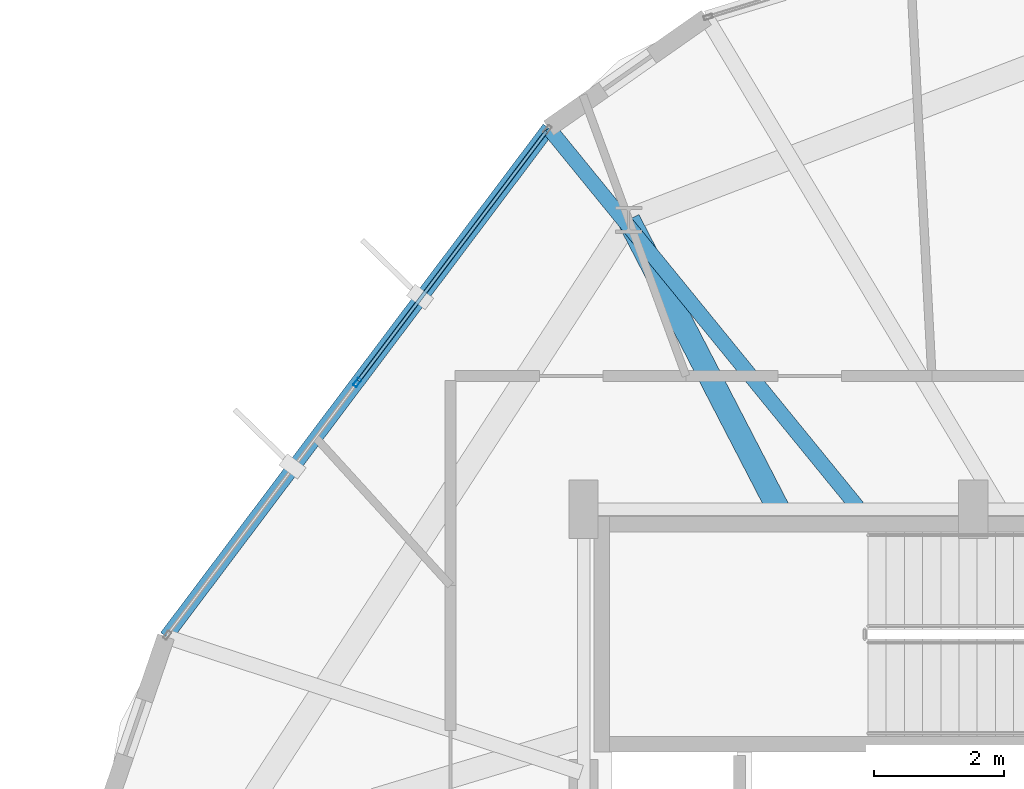
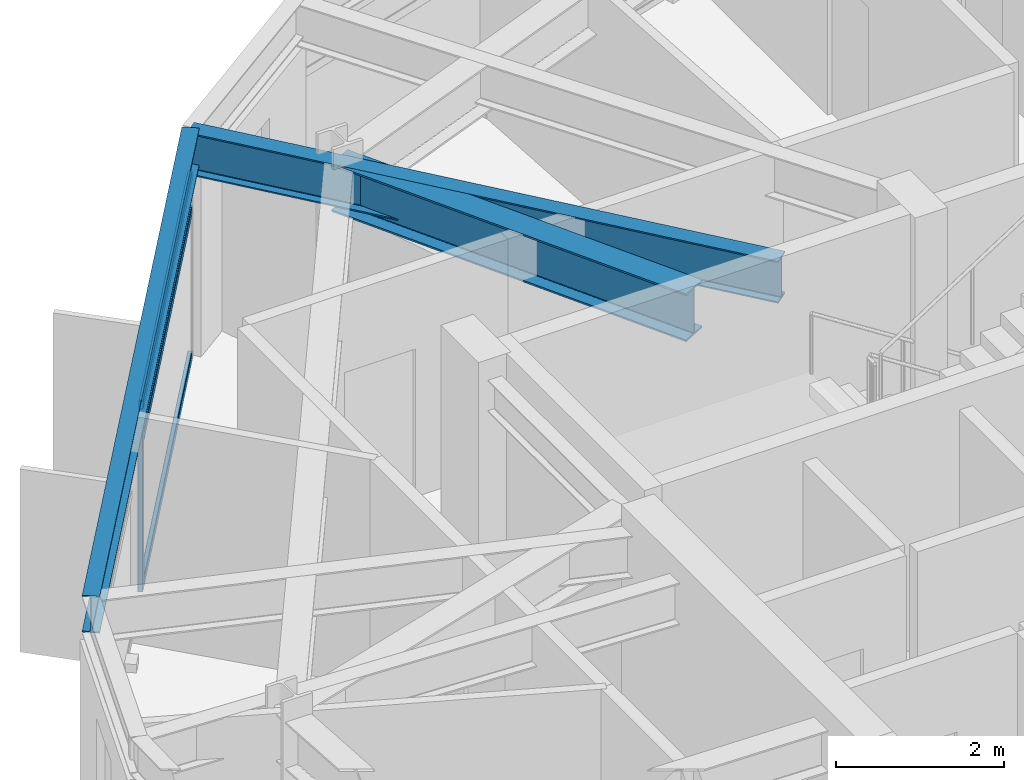
# One storey, part 15 of 29: 4 members, 3 beams, 1 element without a shape of its own.
"""IFC4 building model written with IfcOpenShell, lengths in metres."""

from ifc_helpers import new_model, si_unit, direction, frame, origin, origin_2d, place, context, subcontext, project, spatial, hollow_rectangle, i_section, extrude, material, layer, layer_set, material_profile, profile_set, type_object, element, aggregate, save


model = new_model("IFC4")

# Units and contexts
model_context = context("Model", 3, precision=1e-05, world=origin(), true_north=direction((0.0, 1.0)))
body_context = subcontext(model_context, "Body", "Model", "MODEL_VIEW")
ifc_project = project(units=[si_unit("LENGTHUNIT", "METRE"), si_unit("AREAUNIT", "SQUARE_METRE"), si_unit("VOLUMEUNIT", "CUBIC_METRE"), si_unit("PLANEANGLEUNIT", "RADIAN"), si_unit("MASSUNIT", "GRAM", prefix="KILO")], contexts=[model_context])

# Site, building, storey
site_placement = place(None, origin())
site = spatial("IfcSite", under=ifc_project, at=site_placement, CompositionType="ELEMENT")
building_placement = place(site_placement, origin())
building = spatial("IfcBuilding", under=site, at=building_placement, Name="Soratama Intermodal Tower", CompositionType="ELEMENT")
storey_placement = place(building_placement, frame((0.0, 0.0, 226.60009765625)))
storey = spatial("IfcBuildingStorey", under=building, at=storey_placement, Name="L57", CompositionType="ELEMENT", Elevation=226.60009765625)

# Beams
ifc_material_1 = material(Name="Structural steel ASTM A992 Grade 50", Category="steel")
ifc_material_profile_1 = material_profile(ifc_material_1, i_section(OverallWidth=0.35498046875, OverallDepth=0.695068359375, WebThickness=0.015380859375, FlangeThickness=0.02490234375, FilletRadius=0.01611328125, at=origin_2d()), Name="W27X146")
ifc_profile_set_1 = profile_set([ifc_material_profile_1], Name="Structural steel ASTM A992 Grade 50")
beam_type_1 = type_object("IfcBeamType", Name="BM-RING-W27X146", PredefinedType="BEAM", material=ifc_profile_set_1)
beam_1_placement = place(storey_placement, frame((35.60009765625, 35.0, 2.952392578125), z_axis=(-0.459552673174, 0.888150516849, 0.0), x_axis=(-0.888150516849, -0.459552673174, 0.0)))
element("IfcBeam", 1, at=beam_1_placement, inside=storey, type_object=beam_type_1, Name="BM-L57-RAD-04", PredefinedType="BEAM", context=body_context, shape_type="SweptSolid", body=[
    extrude(i_section(OverallWidth=0.35498046875, OverallDepth=0.695068359375, WebThickness=0.015380859375, FlangeThickness=0.02490234375, FilletRadius=0.01611328125, at=origin_2d()), origin(), (0.0, 0.0, 1.0), 5.01611328125),
])
ifc_material_2 = material(Name="Structural steel ASTM A992 Grade 50", Category="steel")
ifc_material_profile_2 = material_profile(ifc_material_2, i_section(OverallWidth=0.2099609375, OverallDepth=0.537109375, WebThickness=0.010986328125, FlangeThickness=0.017333984375, FilletRadius=0.012939453125, at=origin_2d()), Name="W21X68")
ifc_profile_set_2 = profile_set([ifc_material_profile_2], Name="Structural steel ASTM A992 Grade 50")
beam_type_2 = type_object("IfcBeamType", Name="BM-SPN-W21X68", PredefinedType="SPANDREL", material=ifc_profile_set_2)
beam_2_placement = place(storey_placement, frame((32.06298828125, 40.865966796875, 3.031494140625), z_axis=(-0.601255146087, -0.799057100152, 0.0), x_axis=(0.799057100152, -0.601255146087, 0.0)))
element("IfcBeam", 2, at=beam_2_placement, inside=storey, type_object=beam_type_2, Name="BS-L57-F03", PredefinedType="SPANDREL", context=body_context, shape_type="SweptSolid", body=[
    extrude(i_section(OverallWidth=0.2099609375, OverallDepth=0.537109375, WebThickness=0.010986328125, FlangeThickness=0.017333984375, FilletRadius=0.012939453125, at=origin_2d()), origin(), (0.0, 0.0, 1.0), 9.797607421875),
])
ifc_material_3 = material(Name="Structural steel ASTM A992 Grade 50", Category="steel")
ifc_material_profile_3 = material_profile(ifc_material_3, i_section(OverallWidth=0.22900390625, OverallDepth=0.612060546875, WebThickness=0.011962890625, FlangeThickness=0.01953125, FilletRadius=0.012939453125, at=origin_2d()), Name="W24X84")
ifc_profile_set_3 = profile_set([ifc_material_profile_3], Name="Structural steel ASTM A992 Grade 50")
beam_type_3 = type_object("IfcBeamType", Name="BM-TIE-W24X84", PredefinedType="BEAM", material=ifc_profile_set_3)
beam_3_placement = place(storey_placement, frame((36.820068359375, 35.031005859375, 2.993896484375), z_axis=(-0.631885870256, 0.775061447222, 0.0), x_axis=(-0.775061447222, -0.631885870256, 0.0)))
element("IfcBeam", 3, at=beam_3_placement, inside=storey, type_object=beam_type_3, Name="BM-L57-TIE0-03", PredefinedType="BEAM", context=body_context, shape_type="SweptSolid", body=[
    extrude(i_section(OverallWidth=0.22900390625, OverallDepth=0.612060546875, WebThickness=0.011962890625, FlangeThickness=0.01953125, FilletRadius=0.012939453125, at=origin_2d()), origin(), (0.0, 0.0, 1.0), 7.5283203125),
])

# Curtain wall, members
ifc_material_4 = material(Name="Double-glazed aluminium curtain wall", Category="aluminium")
ifc_layer = layer(ifc_material_4, 0.159912109375)
ifc_layer_set = layer_set([ifc_layer], Name="Double-glazed aluminium curtain wall")
curtain_wall_type = type_object("IfcCurtainWallType", Name="CW-SYS-5", PredefinedType="NOTDEFINED", material=ifc_layer_set)
curtain_wall_placement = place(storey_placement, origin())
curtain_wall = element("IfcCurtainWall", 4, at=curtain_wall_placement, inside=storey, type_object=curtain_wall_type, Name="L57 Faceted Curtain Wall F03", PredefinedType="NOTDEFINED")
ifc_material_5 = material(Name="Anodised aluminium AA 6063-T6", Category="aluminium")
ifc_material_profile_4 = material_profile(ifc_material_5, hollow_rectangle(XDim=0.06494140625, YDim=0.139892578125, WallThickness=0.0048828125, InnerFilletRadius=0.0048828125, OuterFilletRadius=0.010009765625, at=origin_2d()), Name="CWM140X65X5")
ifc_profile_set_4 = profile_set([ifc_material_profile_4], Name="Anodised aluminium AA 6063-T6")
member_type_1 = type_object("IfcMemberType", Name="MT-CWM-5", PredefinedType="MULLION", material=ifc_profile_set_4)
member_1_placement = place(storey_placement, frame((29.1171875, 36.951171875, 0.0), z_axis=(0.0, 0.0, 1.0), x_axis=(0.799052254373, -0.601261585985, 0.0)))
member_1 = element("IfcMember", 5, at=member_1_placement, type_object=member_type_1, Name="CW-5 mullion 2", PredefinedType="MULLION", context=body_context, shape_type="SweptSolid", body=[
    extrude(hollow_rectangle(XDim=0.06494140625, YDim=0.139892578125, WallThickness=0.0048828125, InnerFilletRadius=0.0048828125, OuterFilletRadius=0.010009765625, at=origin_2d()), origin(), (0.0, 0.0, 1.0), 2.678955078125),
])
ifc_material_6 = material(Name="Anodised aluminium AA 6063-T6", Category="aluminium")
ifc_material_profile_5 = material_profile(ifc_material_6, hollow_rectangle(XDim=0.06005859375, YDim=0.1298828125, WallThickness=0.0048828125, InnerFilletRadius=0.0048828125, OuterFilletRadius=0.010009765625, at=origin_2d()), Name="CWT130X60X5")
ifc_profile_set_5 = profile_set([ifc_material_profile_5], Name="Anodised aluminium AA 6063-T6")
member_type_2 = type_object("IfcMemberType", Name="TT-CWT-2", PredefinedType="USERDEFINED", material=ifc_profile_set_5)
member_2_placement = place(storey_placement, frame((32.026611328125, 40.81787109375, 0.02978515625), z_axis=(-0.601258330333, -0.799054704138, 0.0), x_axis=(0.799054704138, -0.601258330333, 0.0)))
member_2 = element("IfcMember", 6, at=member_2_placement, type_object=member_type_2, Name="CW-5 transom 1.1", ObjectType="TRANSOM", PredefinedType="USERDEFINED", context=body_context, shape_type="SweptSolid", body=[
    extrude(hollow_rectangle(XDim=0.06005859375, YDim=0.1298828125, WallThickness=0.0048828125, InnerFilletRadius=0.0048828125, OuterFilletRadius=0.010009765625, at=origin_2d()), origin(), (0.0, 0.0, 1.0), 4.808837890625),
])
member_3_placement = place(storey_placement, frame((32.026611328125, 40.81787109375, 2.14990234375), z_axis=(-0.601258330333, -0.799054704138, 0.0), x_axis=(0.799054704138, -0.601258330333, 0.0)))
member_3 = element("IfcMember", 7, at=member_3_placement, type_object=member_type_2, Name="CW-5 transom 1.2", ObjectType="TRANSOM", PredefinedType="USERDEFINED", context=body_context, shape_type="SweptSolid", body=[
    extrude(hollow_rectangle(XDim=0.06005859375, YDim=0.1298828125, WallThickness=0.0048828125, InnerFilletRadius=0.0048828125, OuterFilletRadius=0.010009765625, at=origin_2d()), origin(), (0.0, 0.0, 1.0), 4.808837890625),
])
member_4_placement = place(storey_placement, frame((32.026611328125, 40.81787109375, 2.64892578125), z_axis=(-0.601258330333, -0.799054704138, 0.0), x_axis=(0.799054704138, -0.601258330333, 0.0)))
member_4 = element("IfcMember", 8, at=member_4_placement, type_object=member_type_2, Name="CW-5 transom 1.3", ObjectType="TRANSOM", PredefinedType="USERDEFINED", context=body_context, shape_type="SweptSolid", body=[
    extrude(hollow_rectangle(XDim=0.06005859375, YDim=0.1298828125, WallThickness=0.0048828125, InnerFilletRadius=0.0048828125, OuterFilletRadius=0.010009765625, at=origin_2d()), origin(), (0.0, 0.0, 1.0), 4.808837890625),
])
aggregate(curtain_wall, [member_1, member_2, member_3, member_4])

save(model, "model.ifc")
